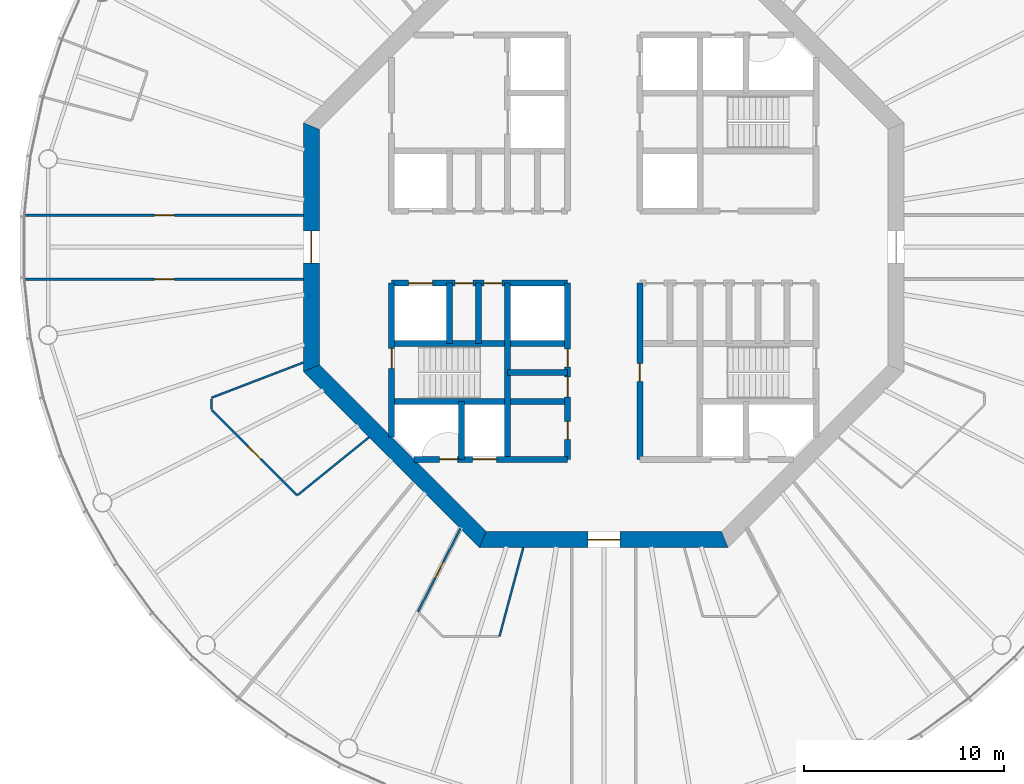
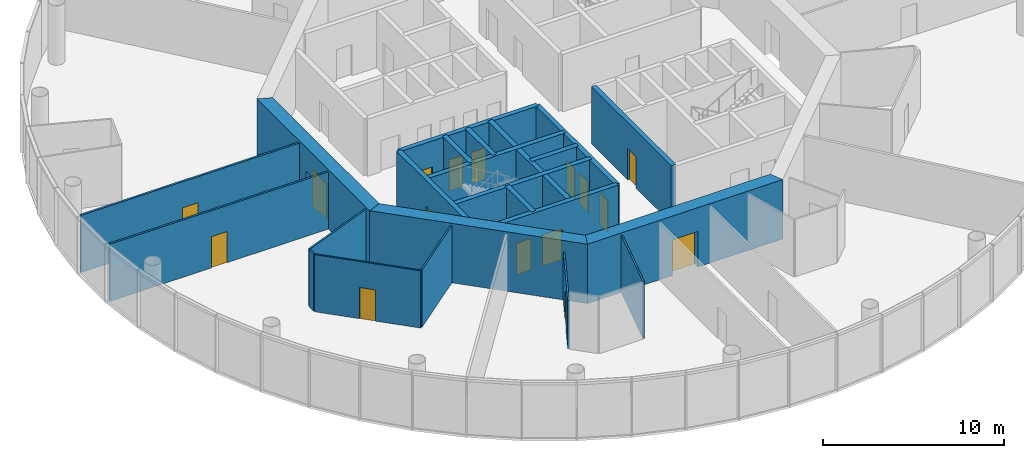
# One storey, part 3 of 13: 23 walls, 16 doors, 16 openings.
"""IFC4 building model written with IfcOpenShell, lengths in metres."""

from ifc_helpers import new_model, si_unit, direction, frame, frame_2d, origin, place, context, subcontext, project, spatial, polyline, rectangle, outline, extrude, material, layer, layer_set, type_object, element, fill, save


model = new_model("IFC4")

# Units and contexts
model_context = context("Model", 3, precision=1e-05, world=origin(), true_north=direction((0.0, 1.0)))
body_context = subcontext(model_context, "Body", "Model", "MODEL_VIEW")
ifc_project = project(units=[si_unit("LENGTHUNIT", "METRE"), si_unit("AREAUNIT", "SQUARE_METRE"), si_unit("VOLUMEUNIT", "CUBIC_METRE"), si_unit("PLANEANGLEUNIT", "RADIAN"), si_unit("MASSUNIT", "GRAM", prefix="KILO")], contexts=[model_context])

# Site, building, storey
site_placement = place(None, origin())
site = spatial("IfcSite", under=ifc_project, at=site_placement, CompositionType="ELEMENT")
building_placement = place(site_placement, origin())
building = spatial("IfcBuilding", under=site, at=building_placement, Name="Entoto Ring Tower", CompositionType="ELEMENT")
storey_placement = place(building_placement, frame((0.0, 0.0, 286.0)))
storey = spatial("IfcBuildingStorey", under=building, at=storey_placement, Name="L65", CompositionType="ELEMENT", Elevation=286.0)

# Wall, opening, door
ifc_material_1 = material(Name="Concrete C40/50", Category="concrete")
ifc_layer_1 = layer(ifc_material_1, 0.300048828125)
ifc_layer_set_1 = layer_set([ifc_layer_1], Name="Concrete C40/50")
wall_type_1 = type_object("IfcWallType", Name="Core enclosure wall 300 mm reinforced concrete", PredefinedType="SOLIDWALL", material=ifc_layer_set_1)
wall_1_placement = place(storey_placement, frame((91.800048828125, 69.39990234375, 0.0), z_axis=(0.0, 0.0, 1.0), x_axis=(0.0, 1.0, 0.0)))
wall_1 = element("IfcWall", 1, at=wall_1_placement, inside=storey, type_object=wall_type_1, Name="wall-L65-011", PredefinedType="SOLIDWALL", context=body_context, shape_type="SweptSolid", body=[
    extrude(rectangle(XDim=8.800048828125, YDim=0.300048828125, at=frame_2d((4.39990234375, 0.0))), origin(), (0.0, 0.0, 1.0), 3.85009765625),
])
opening_1_placement = place(wall_1_placement, frame((3.89990234375, 0.0, 0.0)))
opening_1 = element("IfcOpeningElement", 2, at=opening_1_placement, cuts=wall_1, Name="Opening K-21", PredefinedType="OPENING", context=body_context, shape_type="SweptSolid", body=[
    extrude(rectangle(XDim=0.89990234375, YDim=2.10009765625, at=frame_2d((0.449951171875, 1.050048828125))), frame((0.0, 0.16015625, 0.0), z_axis=(0.0, -1.0, 0.0), x_axis=(1.0, 0.0, 0.0)), (0.0, 0.0, 1.0), 0.320068359375),
])
ifc_material_2 = material(Name="Steel door leaf, fire rated", Category="steel")
ifc_layer_2 = layer(ifc_material_2, 0.050048828125)
ifc_layer_set_2 = layer_set([ifc_layer_2], Name="Steel door leaf, fire rated")
door_type_1 = type_object("IfcDoorType", Name="Core door 900 x 2100 single leaf", OperationType="NOTDEFINED", PredefinedType="DOOR", material=ifc_layer_set_2)
door_1_placement = place(opening_1_placement, frame((0.89990234375, 0.0, 0.0), z_axis=(0.0, 0.0, 1.0), x_axis=(-1.0, 0.0, 0.0)))
door_1 = element("IfcDoor", 3, at=door_1_placement, inside=storey, type_object=door_type_1, Name="Door K-21", OperationType="SINGLE_SWING_LEFT", OverallHeight=2.10009765625, OverallWidth=0.89990234375, PredefinedType="DOOR", context=body_context, shape_type="SweptSolid", body=[
    extrude(rectangle(XDim=0.89990234375, YDim=2.10009765625, at=frame_2d((0.449951171875, 1.050048828125))), frame((0.0, 0.02490234375, 0.0), z_axis=(0.0, -1.0, 0.0), x_axis=(1.0, 0.0, 0.0)), (0.0, 0.0, 1.0), 0.050048828125),
])
fill(opening_1, door_1)

# Wall, openings, doors
wall_2_placement = place(storey_placement, frame((88.199951171875, 69.39990234375, 0.0), z_axis=(0.0, 0.0, 1.0), x_axis=(0.0, 1.0, 0.0)))
wall_2 = element("IfcWall", 4, at=wall_2_placement, inside=storey, type_object=wall_type_1, Name="wall-L65-013", PredefinedType="SOLIDWALL", context=body_context, shape_type="SweptSolid", body=[
    extrude(rectangle(XDim=8.800048828125, YDim=0.300048828125, at=frame_2d((4.39990234375, 0.0))), origin(), (0.0, 0.0, 1.0), 3.85009765625),
])
opening_2_placement = place(wall_2_placement, frame((3.125, 0.0, 0.0)))
opening_2 = element("IfcOpeningElement", 5, at=opening_2_placement, cuts=wall_2, Name="Opening K-70", PredefinedType="OPENING", context=body_context, shape_type="SweptSolid", body=[
    extrude(rectangle(XDim=1.0, YDim=2.10009765625, at=frame_2d((0.5, 1.050048828125))), frame((0.0, 0.16015625, 0.0), z_axis=(0.0, -1.0, 0.0), x_axis=(1.0, 0.0, 0.0)), (0.0, 0.0, 1.0), 0.320068359375),
])
opening_3_placement = place(wall_2_placement, frame((4.625, 0.0, 0.0)))
opening_3 = element("IfcOpeningElement", 6, at=opening_3_placement, cuts=wall_2, Name="Opening K-71", PredefinedType="OPENING", context=body_context, shape_type="SweptSolid", body=[
    extrude(rectangle(XDim=0.89990234375, YDim=2.10009765625, at=frame_2d((0.449951171875, 1.050048828125))), frame((0.0, 0.16015625, 0.0), z_axis=(0.0, -1.0, 0.0), x_axis=(1.0, 0.0, 0.0)), (0.0, 0.0, 1.0), 0.320068359375),
])
opening_4_placement = place(wall_2_placement, frame((1.0, 0.0, 0.0)))
opening_4 = element("IfcOpeningElement", 7, at=opening_4_placement, cuts=wall_2, Name="Opening K-24", PredefinedType="OPENING", context=body_context, shape_type="SweptSolid", body=[
    extrude(rectangle(XDim=0.89990234375, YDim=2.10009765625, at=frame_2d((0.449951171875, 1.050048828125))), frame((0.0, 0.16015625, 0.0), z_axis=(0.0, -1.0, 0.0), x_axis=(1.0, 0.0, 0.0)), (0.0, 0.0, 1.0), 0.320068359375),
])
ifc_material_3 = material(Name="Steel door leaf, fire rated", Category="steel")
ifc_layer_3 = layer(ifc_material_3, 0.050048828125)
ifc_layer_set_3 = layer_set([ifc_layer_3], Name="Steel door leaf, fire rated")
door_type_2 = type_object("IfcDoorType", Name="Accessible door 1000 x 2100 single leaf", OperationType="NOTDEFINED", PredefinedType="DOOR", material=ifc_layer_set_3)
door_2_placement = place(opening_2_placement, origin())
door_2 = element("IfcDoor", 8, at=door_2_placement, inside=storey, type_object=door_type_2, Name="Door K-70", OperationType="SINGLE_SWING_RIGHT", OverallHeight=2.10009765625, OverallWidth=1.0, PredefinedType="DOOR", context=body_context, shape_type="SweptSolid", body=[
    extrude(rectangle(XDim=1.0, YDim=2.10009765625, at=frame_2d((0.5, 1.050048828125))), frame((0.0, 0.02490234375, 0.0), z_axis=(0.0, -1.0, 0.0), x_axis=(1.0, 0.0, 0.0)), (0.0, 0.0, 1.0), 0.050048828125),
])
fill(opening_2, door_2)
door_3_placement = place(opening_3_placement, origin())
door_3 = element("IfcDoor", 9, at=door_3_placement, inside=storey, type_object=door_type_1, Name="Door K-71", OperationType="SINGLE_SWING_RIGHT", OverallHeight=2.10009765625, OverallWidth=0.89990234375, PredefinedType="DOOR", context=body_context, shape_type="SweptSolid", body=[
    extrude(rectangle(XDim=0.89990234375, YDim=2.10009765625, at=frame_2d((0.449951171875, 1.050048828125))), frame((0.0, 0.02490234375, 0.0), z_axis=(0.0, -1.0, 0.0), x_axis=(1.0, 0.0, 0.0)), (0.0, 0.0, 1.0), 0.050048828125),
])
fill(opening_3, door_3)
door_4_placement = place(opening_4_placement, origin())
door_4 = element("IfcDoor", 10, at=door_4_placement, inside=storey, type_object=door_type_1, Name="Door K-24", OperationType="SINGLE_SWING_RIGHT", OverallHeight=2.10009765625, OverallWidth=0.89990234375, PredefinedType="DOOR", context=body_context, shape_type="SweptSolid", body=[
    extrude(rectangle(XDim=0.89990234375, YDim=2.10009765625, at=frame_2d((0.449951171875, 1.050048828125))), frame((0.0, 0.02490234375, 0.0), z_axis=(0.0, -1.0, 0.0), x_axis=(1.0, 0.0, 0.0)), (0.0, 0.0, 1.0), 0.050048828125),
])
fill(opening_4, door_4)

# Walls
wall_3_placement = place(storey_placement, frame((85.199951171875, 69.39990234375, 0.0), z_axis=(0.0, 0.0, 1.0), x_axis=(0.0, 1.0, 0.0)))
element("IfcWall", 11, at=wall_3_placement, inside=storey, type_object=wall_type_1, Name="wall-L65-016", PredefinedType="SOLIDWALL", context=body_context, shape_type="SweptSolid", body=[
    extrude(rectangle(XDim=8.800048828125, YDim=0.300048828125, at=frame_2d((4.39990234375, 0.0))), origin(), (0.0, 0.0, 1.0), 3.85009765625),
])
wall_4_placement = place(storey_placement, frame((83.75, 75.199951171875, 0.0), z_axis=(0.0, 0.0, 1.0), x_axis=(0.0, 1.0, 0.0)))
element("IfcWall", 12, at=wall_4_placement, inside=storey, type_object=wall_type_1, Name="wall-L65-018", PredefinedType="SOLIDWALL", context=body_context, shape_type="SweptSolid", body=[
    extrude(rectangle(XDim=3.0, YDim=0.300048828125, at=frame_2d((1.5, 0.0))), origin(), (0.0, 0.0, 1.0), 3.85009765625),
])
wall_5_placement = place(storey_placement, frame((82.89990234375, 69.39990234375, 0.0), z_axis=(0.0, 0.0, 1.0), x_axis=(0.0, 1.0, 0.0)))
element("IfcWall", 13, at=wall_5_placement, inside=storey, type_object=wall_type_1, Name="wall-L65-020", PredefinedType="SOLIDWALL", context=body_context, shape_type="SweptSolid", body=[
    extrude(rectangle(XDim=2.900146484375, YDim=0.300048828125, at=frame_2d((1.4501953125, 0.0))), origin(), (0.0, 0.0, 1.0), 3.85009765625),
])
wall_6_placement = place(storey_placement, frame((82.300048828125, 75.199951171875, 0.0), z_axis=(0.0, 0.0, 1.0), x_axis=(0.0, 1.0, 0.0)))
element("IfcWall", 14, at=wall_6_placement, inside=storey, type_object=wall_type_1, Name="wall-L65-021", PredefinedType="SOLIDWALL", context=body_context, shape_type="SweptSolid", body=[
    extrude(rectangle(XDim=3.0, YDim=0.300048828125, at=frame_2d((1.5, 0.0))), origin(), (0.0, 0.0, 1.0), 3.85009765625),
])

# Wall, opening, door
wall_7_placement = place(storey_placement, frame((79.39990234375, 70.518310546875, 0.0), z_axis=(0.0, 0.0, 1.0), x_axis=(0.0, 1.0, 0.0)))
wall_7 = element("IfcWall", 15, at=wall_7_placement, inside=storey, type_object=wall_type_1, Name="wall-L65-023", PredefinedType="SOLIDWALL", context=body_context, shape_type="SweptSolid", body=[
    extrude(rectangle(XDim=7.681640625, YDim=0.300048828125, at=frame_2d((3.8408203125, 0.0))), origin(), (0.0, 0.0, 1.0), 3.85009765625),
])
opening_5_placement = place(wall_7_placement, frame((3.431884765625, 0.0, 0.0)))
opening_5 = element("IfcOpeningElement", 16, at=opening_5_placement, cuts=wall_7, Name="Opening K-30", PredefinedType="OPENING", context=body_context, shape_type="SweptSolid", body=[
    extrude(rectangle(XDim=1.0, YDim=2.10009765625, at=frame_2d((0.5, 1.050048828125))), frame((0.0, 0.16015625, 0.0), z_axis=(0.0, -1.0, 0.0), x_axis=(1.0, 0.0, 0.0)), (0.0, 0.0, 1.0), 0.320068359375),
])
ifc_material_4 = material(Name="Steel door leaf, fire rated", Category="steel")
ifc_layer_4 = layer(ifc_material_4, 0.050048828125)
ifc_layer_set_4 = layer_set([ifc_layer_4], Name="Steel door leaf, fire rated")
door_type_3 = type_object("IfcDoorType", Name="Fire door FD60 1000 x 2100 single leaf", OperationType="NOTDEFINED", PredefinedType="DOOR", material=ifc_layer_set_4)
door_5_placement = place(opening_5_placement, frame((1.0, 0.0, 0.0), z_axis=(0.0, 0.0, 1.0), x_axis=(-1.0, 0.0, 0.0)))
door_5 = element("IfcDoor", 17, at=door_5_placement, inside=storey, type_object=door_type_3, Name="Door K-30", OperationType="SINGLE_SWING_LEFT", OverallHeight=2.10009765625, OverallWidth=1.0, PredefinedType="DOOR", context=body_context, shape_type="SweptSolid", body=[
    extrude(rectangle(XDim=1.0, YDim=2.10009765625, at=frame_2d((0.5, 1.050048828125))), frame((0.0, 0.02490234375, 0.0), z_axis=(0.0, -1.0, 0.0), x_axis=(1.0, 0.0, 0.0)), (0.0, 0.0, 1.0), 0.050048828125),
])
fill(opening_5, door_5)

# Wall, openings, doors
wall_8_placement = place(storey_placement, frame((80.518310546875, 69.39990234375, 0.0), z_axis=(0.0, 0.0, 1.0), x_axis=(1.0, 0.0, 0.0)))
wall_8 = element("IfcWall", 18, at=wall_8_placement, inside=storey, type_object=wall_type_1, Name="wall-L65-025", PredefinedType="SOLIDWALL", context=body_context, shape_type="SweptSolid", body=[
    extrude(rectangle(XDim=7.681640625, YDim=0.300048828125, at=frame_2d((3.8408203125, 0.0))), origin(), (0.0, 0.0, 1.0), 3.85009765625),
])
opening_6_placement = place(wall_8_placement, frame((2.931884765625, 0.0, 0.0)))
opening_6 = element("IfcOpeningElement", 19, at=opening_6_placement, cuts=wall_8, Name="Opening LD", PredefinedType="OPENING", context=body_context, shape_type="SweptSolid", body=[
    extrude(rectangle(XDim=1.199951171875, YDim=2.10009765625, at=frame_2d((0.60009765625, 1.050048828125))), frame((0.0, 0.16015625, 0.0), z_axis=(0.0, -1.0, 0.0), x_axis=(1.0, 0.0, 0.0)), (0.0, 0.0, 1.0), 0.320068359375),
])
opening_7_placement = place(wall_8_placement, frame((1.28173828125, 0.0, 0.0)))
opening_7 = element("IfcOpeningElement", 20, at=opening_7_placement, cuts=wall_8, Name="Opening K-33", PredefinedType="OPENING", context=body_context, shape_type="SweptSolid", body=[
    extrude(rectangle(XDim=0.89990234375, YDim=2.10009765625, at=frame_2d((0.449951171875, 1.050048828125))), frame((0.0, 0.16015625, 0.0), z_axis=(0.0, -1.0, 0.0), x_axis=(1.0, 0.0, 0.0)), (0.0, 0.0, 1.0), 0.320068359375),
])
ifc_material_5 = material(Name="Steel and glass door leaf", Category="steel")
ifc_layer_5 = layer(ifc_material_5, 0.050048828125)
ifc_layer_set_5 = layer_set([ifc_layer_5], Name="Steel and glass door leaf")
door_type_4 = type_object("IfcDoorType", Name="Landing door 1200 x 2100 sliding", OperationType="DOUBLE_DOOR_SLIDING", PredefinedType="DOOR", material=ifc_layer_set_5)
door_6_placement = place(opening_6_placement, origin())
door_6 = element("IfcDoor", 21, at=door_6_placement, inside=storey, type_object=door_type_4, Name="Landing door LB3-HR", OperationType="SLIDING_TO_RIGHT", OverallHeight=2.10009765625, OverallWidth=1.199951171875, PredefinedType="DOOR", context=body_context, shape_type="SweptSolid", body=[
    extrude(rectangle(XDim=1.199951171875, YDim=2.10009765625, at=frame_2d((0.60009765625, 1.050048828125))), frame((0.0, 0.02490234375, 0.0), z_axis=(0.0, -1.0, 0.0), x_axis=(1.0, 0.0, 0.0)), (0.0, 0.0, 1.0), 0.050048828125),
])
fill(opening_6, door_6)
ifc_material_6 = material(Name="Steel door leaf, fire rated", Category="steel")
ifc_layer_6 = layer(ifc_material_6, 0.050048828125)
ifc_layer_set_6 = layer_set([ifc_layer_6], Name="Steel door leaf, fire rated")
door_type_5 = type_object("IfcDoorType", Name="Riser door FD60 900 x 2100 single leaf", OperationType="NOTDEFINED", PredefinedType="DOOR", material=ifc_layer_set_6)
door_7_placement = place(opening_7_placement, origin())
door_7 = element("IfcDoor", 22, at=door_7_placement, inside=storey, type_object=door_type_5, Name="Door K-33", OperationType="SINGLE_SWING_RIGHT", OverallHeight=2.10009765625, OverallWidth=0.89990234375, PredefinedType="DOOR", context=body_context, shape_type="SweptSolid", body=[
    extrude(rectangle(XDim=0.89990234375, YDim=2.10009765625, at=frame_2d((0.449951171875, 1.050048828125))), frame((0.0, 0.02490234375, 0.0), z_axis=(0.0, -1.0, 0.0), x_axis=(1.0, 0.0, 0.0)), (0.0, 0.0, 1.0), 0.050048828125),
])
fill(opening_7, door_7)

# Walls
wall_9_placement = place(storey_placement, frame((79.39990234375, 72.300048828125, 0.0), z_axis=(0.0, 0.0, 1.0), x_axis=(1.0, 0.0, 0.0)))
element("IfcWall", 23, at=wall_9_placement, inside=storey, type_object=wall_type_1, Name="wall-L65-027", PredefinedType="SOLIDWALL", context=body_context, shape_type="SweptSolid", body=[
    extrude(rectangle(XDim=8.800048828125, YDim=0.300048828125, at=frame_2d((4.39990234375, 0.0))), origin(), (0.0, 0.0, 1.0), 3.85009765625),
])
wall_10_placement = place(storey_placement, frame((85.199951171875, 73.75, 0.0), z_axis=(0.0, 0.0, 1.0), x_axis=(1.0, 0.0, 0.0)))
element("IfcWall", 24, at=wall_10_placement, inside=storey, type_object=wall_type_1, Name="wall-L65-029", PredefinedType="SOLIDWALL", context=body_context, shape_type="SweptSolid", body=[
    extrude(rectangle(XDim=3.0, YDim=0.300048828125, at=frame_2d((1.5, 0.0))), origin(), (0.0, 0.0, 1.0), 3.85009765625),
])
wall_11_placement = place(storey_placement, frame((79.39990234375, 75.199951171875, 0.0), z_axis=(0.0, 0.0, 1.0), x_axis=(1.0, 0.0, 0.0)))
element("IfcWall", 25, at=wall_11_placement, inside=storey, type_object=wall_type_1, Name="wall-L65-030", PredefinedType="SOLIDWALL", context=body_context, shape_type="SweptSolid", body=[
    extrude(rectangle(XDim=8.800048828125, YDim=0.300048828125, at=frame_2d((4.39990234375, 0.0))), origin(), (0.0, 0.0, 1.0), 3.85009765625),
])

# Wall, openings, doors
wall_12_placement = place(storey_placement, frame((79.39990234375, 78.199951171875, 0.0), z_axis=(0.0, 0.0, 1.0), x_axis=(1.0, 0.0, 0.0)))
wall_12 = element("IfcWall", 26, at=wall_12_placement, inside=storey, type_object=wall_type_1, Name="wall-L65-032", PredefinedType="SOLIDWALL", context=body_context, shape_type="SweptSolid", body=[
    extrude(rectangle(XDim=8.800048828125, YDim=0.300048828125, at=frame_2d((4.39990234375, 0.0))), origin(), (0.0, 0.0, 1.0), 3.85009765625),
])
opening_8_placement = place(wall_12_placement, frame((0.85009765625, 0.0, 0.0)))
opening_8 = element("IfcOpeningElement", 27, at=opening_8_placement, cuts=wall_12, Name="Opening LD", PredefinedType="OPENING", context=body_context, shape_type="SweptSolid", body=[
    extrude(rectangle(XDim=1.199951171875, YDim=2.10009765625, at=frame_2d((0.60009765625, 1.050048828125))), frame((0.0, 0.16015625, 0.0), z_axis=(0.0, -1.0, 0.0), x_axis=(1.0, 0.0, 0.0)), (0.0, 0.0, 1.0), 0.320068359375),
])
opening_9_placement = place(wall_12_placement, frame((3.175048828125, 0.0, 0.0)))
opening_9 = element("IfcOpeningElement", 28, at=opening_9_placement, cuts=wall_12, Name="Opening K-18", PredefinedType="OPENING", context=body_context, shape_type="SweptSolid", body=[
    extrude(rectangle(XDim=0.89990234375, YDim=2.10009765625, at=frame_2d((0.449951171875, 1.050048828125))), frame((0.0, 0.16015625, 0.0), z_axis=(0.0, -1.0, 0.0), x_axis=(1.0, 0.0, 0.0)), (0.0, 0.0, 1.0), 0.320068359375),
])
opening_10_placement = place(wall_12_placement, frame((4.625, 0.0, 0.0)))
opening_10 = element("IfcOpeningElement", 29, at=opening_10_placement, cuts=wall_12, Name="Opening K-19", PredefinedType="OPENING", context=body_context, shape_type="SweptSolid", body=[
    extrude(rectangle(XDim=0.89990234375, YDim=2.10009765625, at=frame_2d((0.449951171875, 1.050048828125))), frame((0.0, 0.16015625, 0.0), z_axis=(0.0, -1.0, 0.0), x_axis=(1.0, 0.0, 0.0)), (0.0, 0.0, 1.0), 0.320068359375),
])
door_8_placement = place(opening_9_placement, frame((0.89990234375, 0.0, 0.0), z_axis=(0.0, 0.0, 1.0), x_axis=(-1.0, 0.0, 0.0)))
door_8 = element("IfcDoor", 30, at=door_8_placement, inside=storey, type_object=door_type_1, Name="Door K-18", OperationType="SINGLE_SWING_LEFT", OverallHeight=2.10009765625, OverallWidth=0.89990234375, PredefinedType="DOOR", context=body_context, shape_type="SweptSolid", body=[
    extrude(rectangle(XDim=0.89990234375, YDim=2.10009765625, at=frame_2d((0.449951171875, 1.050048828125))), frame((0.0, 0.02490234375, 0.0), z_axis=(0.0, -1.0, 0.0), x_axis=(1.0, 0.0, 0.0)), (0.0, 0.0, 1.0), 0.050048828125),
])
fill(opening_9, door_8)
door_9_placement = place(opening_10_placement, frame((0.89990234375, 0.0, 0.0), z_axis=(0.0, 0.0, 1.0), x_axis=(-1.0, 0.0, 0.0)))
door_9 = element("IfcDoor", 31, at=door_9_placement, inside=storey, type_object=door_type_1, Name="Door K-19", OperationType="SINGLE_SWING_LEFT", OverallHeight=2.10009765625, OverallWidth=0.89990234375, PredefinedType="DOOR", context=body_context, shape_type="SweptSolid", body=[
    extrude(rectangle(XDim=0.89990234375, YDim=2.10009765625, at=frame_2d((0.449951171875, 1.050048828125))), frame((0.0, 0.02490234375, 0.0), z_axis=(0.0, -1.0, 0.0), x_axis=(1.0, 0.0, 0.0)), (0.0, 0.0, 1.0), 0.050048828125),
])
fill(opening_10, door_9)
door_10_placement = place(opening_8_placement, origin())
door_10 = element("IfcDoor", 32, at=door_10_placement, inside=storey, type_object=door_type_4, Name="Landing door SH2", OperationType="SLIDING_TO_RIGHT", OverallHeight=2.10009765625, OverallWidth=1.199951171875, PredefinedType="DOOR", context=body_context, shape_type="SweptSolid", body=[
    extrude(rectangle(XDim=1.199951171875, YDim=2.10009765625, at=frame_2d((0.60009765625, 1.050048828125))), frame((0.0, 0.02490234375, 0.0), z_axis=(0.0, -1.0, 0.0), x_axis=(1.0, 0.0, 0.0)), (0.0, 0.0, 1.0), 0.050048828125),
])
fill(opening_8, door_10)

# Wall, opening, door
ifc_material_7 = material(Name="Concrete C40/50", Category="concrete")
ifc_layer_7 = layer(ifc_material_7, 0.800048828125)
ifc_layer_set_7 = layer_set([ifc_layer_7], Name="Concrete C40/50")
wall_type_2 = type_object("IfcWallType", Name="Core shear wall 800 mm reinforced concrete C40/50", PredefinedType="SHEAR", material=ifc_layer_set_7)
wall_13_placement = place(storey_placement, frame((75.39990234375, 86.047607421875, 0.0), z_axis=(0.0, 0.0, 1.0), x_axis=(0.0, -1.0, 0.0)))
wall_13 = element("IfcWall", 33, at=wall_13_placement, inside=storey, type_object=wall_type_2, Name="wall-L65-core-4", PredefinedType="SHEAR", context=body_context, shape_type="SweptSolid", body=[
    extrude(outline(polyline([(-0.165771484375, -0.39990234375), (12.260986328125, -0.39990234375), (11.929443359375, 0.39990234375), (0.165771484375, 0.39990234375), (-0.165771484375, -0.39990234375)])), origin(), (0.0, 0.0, 1.0), 4.0),
])
opening_11_placement = place(wall_13_placement, frame((5.24755859375, 0.0, 0.0)))
opening_11 = element("IfcOpeningElement", 34, at=opening_11_placement, cuts=wall_13, Name="Opening K-03", PredefinedType="OPENING", context=body_context, shape_type="SweptSolid", body=[
    extrude(rectangle(XDim=1.60009765625, YDim=2.39990234375, at=frame_2d((0.800048828125, 1.199951171875))), frame((0.0, 0.41015625, 0.0), z_axis=(0.0, -1.0, 0.0), x_axis=(1.0, 0.0, 0.0)), (0.0, 0.0, 1.0), 0.820068359375),
])
ifc_material_8 = material(Name="Steel door leaf, fire rated", Category="steel")
ifc_layer_8 = layer(ifc_material_8, 0.050048828125)
ifc_layer_set_8 = layer_set([ifc_layer_8], Name="Steel door leaf, fire rated")
door_type_6 = type_object("IfcDoorType", Name="Entrance door FD60 1600 x 2400 double leaf", OperationType="DOUBLE_DOOR_SINGLE_SWING", PredefinedType="DOOR", material=ifc_layer_set_8)
door_11_placement = place(opening_11_placement, origin())
door_11 = element("IfcDoor", 35, at=door_11_placement, inside=storey, type_object=door_type_6, Name="Entrance door K-03", OperationType="DOUBLE_DOOR_SINGLE_SWING", OverallHeight=2.39990234375, OverallWidth=1.60009765625, PredefinedType="DOOR", context=body_context, shape_type="SweptSolid", body=[
    extrude(rectangle(XDim=1.60009765625, YDim=2.39990234375, at=frame_2d((0.800048828125, 1.199951171875))), frame((0.0, 0.02490234375, 0.0), z_axis=(0.0, -1.0, 0.0), x_axis=(1.0, 0.0, 0.0)), (0.0, 0.0, 1.0), 0.050048828125),
])
fill(opening_11, door_11)

# Wall
wall_14_placement = place(storey_placement, frame((75.39990234375, 73.952392578125, 0.0), z_axis=(0.0, 0.0, 1.0), x_axis=(0.707106781187, -0.707106781187, 0.0)))
element("IfcWall", 36, at=wall_14_placement, inside=storey, type_object=wall_type_2, Name="wall-L65-core-5", PredefinedType="SHEAR", context=body_context, shape_type="SweptSolid", body=[
    extrude(outline(polyline([(-0.165771484375, -0.39990234375), (12.2607421875, -0.39990234375), (11.92919921875, 0.39990234375), (0.165771484375, 0.39990234375), (-0.165771484375, -0.39990234375)])), origin(), (0.0, 0.0, 1.0), 4.0),
])

# Wall, opening, door
wall_15_placement = place(storey_placement, frame((83.952392578125, 65.39990234375, 0.0), z_axis=(0.0, 0.0, 1.0), x_axis=(1.0, 0.0, 0.0)))
wall_15 = element("IfcWall", 37, at=wall_15_placement, inside=storey, type_object=wall_type_2, Name="wall-L65-core-6", PredefinedType="SHEAR", context=body_context, shape_type="SweptSolid", body=[
    extrude(outline(polyline([(-0.165771484375, -0.39990234375), (12.260986328125, -0.39990234375), (11.929443359375, 0.39990234375), (0.165771484375, 0.39990234375), (-0.165771484375, -0.39990234375)])), origin(), (0.0, 0.0, 1.0), 4.0),
])
opening_12_placement = place(wall_15_placement, frame((5.24755859375, 0.0, 0.0)))
opening_12 = element("IfcOpeningElement", 38, at=opening_12_placement, cuts=wall_15, Name="Opening K-04", PredefinedType="OPENING", context=body_context, shape_type="SweptSolid", body=[
    extrude(rectangle(XDim=1.60009765625, YDim=2.39990234375, at=frame_2d((0.800048828125, 1.199951171875))), frame((0.0, 0.41015625, 0.0), z_axis=(0.0, -1.0, 0.0), x_axis=(1.0, 0.0, 0.0)), (0.0, 0.0, 1.0), 0.820068359375),
])
door_12_placement = place(opening_12_placement, origin())
door_12 = element("IfcDoor", 39, at=door_12_placement, inside=storey, type_object=door_type_6, Name="Entrance door K-04", OperationType="DOUBLE_DOOR_SINGLE_SWING", OverallHeight=2.39990234375, OverallWidth=1.60009765625, PredefinedType="DOOR", context=body_context, shape_type="SweptSolid", body=[
    extrude(rectangle(XDim=1.60009765625, YDim=2.39990234375, at=frame_2d((0.800048828125, 1.199951171875))), frame((0.0, 0.02490234375, 0.0), z_axis=(0.0, -1.0, 0.0), x_axis=(1.0, 0.0, 0.0)), (0.0, 0.0, 1.0), 0.050048828125),
])
fill(opening_12, door_12)

ifc_material_9 = material(Name="Fire-resisting plasterboard on steel studs", Category="steel")
ifc_layer_9 = layer(ifc_material_9, 0.125)
ifc_layer_set_9 = layer_set([ifc_layer_9], Name="Fire-resisting plasterboard on steel studs")
wall_type_3 = type_object("IfcWallType", Name="Corridor wall 125 mm one-hour plasterboard on steel studs", PredefinedType="PARTITIONING", material=ifc_layer_set_9)
wall_16_placement = place(storey_placement, frame((61.108642578125, 78.39990234375, 0.0), z_axis=(0.0, 0.0, 1.0), x_axis=(1.0, 0.0, 0.0)))
wall_16 = element("IfcWall", 40, at=wall_16_placement, inside=storey, type_object=wall_type_3, Name="partition-L65-001", PredefinedType="PARTITIONING", context=body_context, shape_type="SweptSolid", body=[
    extrude(rectangle(XDim=13.891357421875, YDim=0.125, at=frame_2d((6.94580078125, 0.0))), origin(), (0.0, 0.0, 1.0), 3.85009765625),
])
opening_13_placement = place(wall_16_placement, frame((6.44580078125, 0.0, 0.0)))
opening_13 = element("IfcOpeningElement", 41, at=opening_13_placement, cuts=wall_16, Name="Opening A29-D09", PredefinedType="OPENING", context=body_context, shape_type="SweptSolid", body=[
    extrude(rectangle(XDim=1.0, YDim=2.10009765625, at=frame_2d((0.5, 1.050048828125))), frame((0.0, 0.072509765625, 0.0), z_axis=(0.0, -1.0, 0.0), x_axis=(1.0, 0.0, 0.0)), (0.0, 0.0, 1.0), 0.14501953125),
])
ifc_material_10 = material(Name="Fire-resisting timber door set", Category="wood")
door_type_7 = type_object("IfcDoorType", Name="Door 1000 x 2100 single leaf FD30S fire door", OperationType="NOTDEFINED", PredefinedType="DOOR", material=ifc_material_10)
door_13_placement = place(opening_13_placement, frame((1.0, 0.0, 0.0), z_axis=(0.0, 0.0, 1.0), x_axis=(-1.0, 0.0, 0.0)))
door_13 = element("IfcDoor", 42, at=door_13_placement, inside=storey, type_object=door_type_7, Name="Door A29-D09", OperationType="SINGLE_SWING_RIGHT", OverallHeight=2.10009765625, OverallWidth=1.0, PredefinedType="DOOR", context=body_context, shape_type="SweptSolid", body=[
    extrude(rectangle(XDim=1.0, YDim=2.10009765625, at=frame_2d((0.5, 1.050048828125))), frame((0.0, 0.02490234375, 0.0), z_axis=(0.0, -1.0, 0.0), x_axis=(1.0, 0.0, 0.0)), (0.0, 0.0, 1.0), 0.050048828125),
])
fill(opening_13, door_13)

wall_17_placement = place(storey_placement, frame((61.108642578125, 81.60009765625, 0.0), z_axis=(0.0, 0.0, 1.0), x_axis=(1.0, 0.0, 0.0)))
wall_17 = element("IfcWall", 43, at=wall_17_placement, inside=storey, type_object=wall_type_3, Name="partition-L65-002", PredefinedType="PARTITIONING", context=body_context, shape_type="SweptSolid", body=[
    extrude(rectangle(XDim=13.891357421875, YDim=0.125, at=frame_2d((6.94580078125, 0.0))), origin(), (0.0, 0.0, 1.0), 3.85009765625),
])
opening_14_placement = place(wall_17_placement, frame((6.44580078125, 0.0, 0.0)))
opening_14 = element("IfcOpeningElement", 44, at=opening_14_placement, cuts=wall_17, Name="Opening A29-D07", PredefinedType="OPENING", context=body_context, shape_type="SweptSolid", body=[
    extrude(rectangle(XDim=1.0, YDim=2.10009765625, at=frame_2d((0.5, 1.050048828125))), frame((0.0, 0.072509765625, 0.0), z_axis=(0.0, -1.0, 0.0), x_axis=(1.0, 0.0, 0.0)), (0.0, 0.0, 1.0), 0.14501953125),
])
door_14_placement = place(opening_14_placement, origin())
door_14 = element("IfcDoor", 45, at=door_14_placement, inside=storey, type_object=door_type_7, Name="Door A29-D07", OperationType="SINGLE_SWING_LEFT", OverallHeight=2.10009765625, OverallWidth=1.0, PredefinedType="DOOR", context=body_context, shape_type="SweptSolid", body=[
    extrude(rectangle(XDim=1.0, YDim=2.10009765625, at=frame_2d((0.5, 1.050048828125))), frame((0.0, 0.02490234375, 0.0), z_axis=(0.0, -1.0, 0.0), x_axis=(1.0, 0.0, 0.0)), (0.0, 0.0, 1.0), 0.050048828125),
])
fill(opening_14, door_14)

ifc_material_11 = material(Name="Plasterboard on steel studs", Category="steel")
ifc_layer_10 = layer(ifc_material_11, 0.10009765625)
ifc_layer_set_10 = layer_set([ifc_layer_10], Name="Plasterboard on steel studs")
wall_type_4 = type_object("IfcWallType", Name="Partition 100 mm plasterboard on steel studs", PredefinedType="PARTITIONING", material=ifc_layer_set_10)
wall_18_placement = place(storey_placement, frame((74.68408203125, 67.597412109375, 0.0), z_axis=(0.0, 0.0, 1.0), x_axis=(-0.707126929262, 0.707086632537, 0.0)))
wall_18 = element("IfcWall", 46, at=wall_18_placement, inside=storey, type_object=wall_type_4, Name="partition-L65-013", PredefinedType="PARTITIONING", context=body_context, shape_type="SweptSolid", body=[
    extrude(rectangle(XDim=6.05859375, YDim=0.10009765625, at=frame_2d((3.029296875, 0.0))), origin(), (0.0, 0.0, 1.0), 3.85009765625),
])
opening_15_placement = place(wall_18_placement, frame((2.579345703125, 0.0, 0.0)))
opening_15 = element("IfcOpeningElement", 47, at=opening_15_placement, cuts=wall_18, Name="Opening A29-D10", PredefinedType="OPENING", context=body_context, shape_type="SweptSolid", body=[
    extrude(rectangle(XDim=0.89990234375, YDim=2.10009765625, at=frame_2d((0.449951171875, 1.050048828125))), frame((0.0, 0.06005859375, 0.0), z_axis=(0.0, -1.0, 0.0), x_axis=(1.0, 0.0, 0.0)), (0.0, 0.0, 1.0), 0.1201171875),
])
ifc_material_12 = material(Name="Veneered timber door leaf in timber frame", Category="wood")
door_type_8 = type_object("IfcDoorType", Name="Door 900 x 2100 single leaf timber veneer", OperationType="NOTDEFINED", PredefinedType="DOOR", material=ifc_material_12)
door_15_placement = place(opening_15_placement, frame((0.89990234375, 0.0, 0.0), z_axis=(0.0, 0.0, 1.0), x_axis=(-1.0, 0.0, 0.0)))
door_15 = element("IfcDoor", 48, at=door_15_placement, inside=storey, type_object=door_type_8, Name="Door A29-D10", OperationType="SINGLE_SWING_RIGHT", OverallHeight=2.10009765625, OverallWidth=0.89990234375, PredefinedType="DOOR", context=body_context, shape_type="SweptSolid", body=[
    extrude(rectangle(XDim=0.89990234375, YDim=2.10009765625, at=frame_2d((0.449951171875, 1.050048828125))), frame((0.0, 0.02490234375, 0.0), z_axis=(0.0, -1.0, 0.0), x_axis=(1.0, 0.0, 0.0)), (0.0, 0.0, 1.0), 0.050048828125),
])
fill(opening_15, door_15)

# Walls
wall_19_placement = place(storey_placement, frame((70.39990234375, 72.476318359375, 0.0), z_axis=(0.0, 0.0, 1.0), x_axis=(0.933593126513, 0.358334863122, 0.0)))
element("IfcWall", 49, at=wall_19_placement, inside=storey, type_object=wall_type_4, Name="partition-L65-017", PredefinedType="PARTITIONING", context=body_context, shape_type="SweptSolid", body=[
    extrude(rectangle(XDim=4.92724609375, YDim=0.10009765625, at=frame_2d((2.463623046875, 0.0))), origin(), (0.0, 0.0, 1.0), 3.85009765625),
])
wall_20_placement = place(storey_placement, frame((74.72265625, 67.628662109375, 0.0), z_axis=(0.0, 0.0, 1.0), x_axis=(0.777133029687, 0.629336360121, 0.0)))
element("IfcWall", 50, at=wall_20_placement, inside=storey, type_object=wall_type_4, Name="partition-L65-021", PredefinedType="PARTITIONING", context=body_context, shape_type="SweptSolid", body=[
    extrude(rectangle(XDim=4.57568359375, YDim=0.10009765625, at=frame_2d((2.287841796875, 0.0))), origin(), (0.0, 0.0, 1.0), 3.85009765625),
])
wall_21_placement = place(storey_placement, frame((84.791015625, 60.56005859375, 0.0), z_axis=(0.0, 0.0, 1.0), x_axis=(0.258822810663, 0.965924817302, 0.0)))
element("IfcWall", 51, at=wall_21_placement, inside=storey, type_object=wall_type_4, Name="partition-L65-022", PredefinedType="PARTITIONING", context=body_context, shape_type="SweptSolid", body=[
    extrude(rectangle(XDim=4.5966796875, YDim=0.10009765625, at=frame_2d((2.29833984375, 0.0))), origin(), (0.0, 0.0, 1.0), 3.85009765625),
])
wall_22_placement = place(storey_placement, frame((70.39990234375, 71.91650390625, 0.0), z_axis=(0.0, 0.0, 1.0), x_axis=(0.0, 1.0, 0.0)))
element("IfcWall", 52, at=wall_22_placement, inside=storey, type_object=wall_type_4, Name="partition-L65-041", PredefinedType="PARTITIONING", context=body_context, shape_type="SweptSolid", body=[
    extrude(rectangle(XDim=0.51318359375, YDim=0.10009765625, at=frame_2d((0.256591796875, 0.0))), origin(), (0.0, 0.0, 1.0), 3.85009765625),
])

# Wall, opening, door
ifc_material_13 = material(Name="Plasterboard on steel studs", Category="steel")
ifc_layer_11 = layer(ifc_material_13, 0.10009765625)
ifc_layer_set_11 = layer_set([ifc_layer_11], Name="Plasterboard on steel studs")
wall_type_5 = type_object("IfcWallType", Name="Partition 100 mm plasterboard on steel studs, 3250 mm high", PredefinedType="PARTITIONING", material=ifc_layer_set_11)
wall_23_placement = place(storey_placement, frame((80.72021484375, 61.787353515625, 0.0), z_axis=(0.0, 0.0, 1.0), x_axis=(0.453978268405, 0.891012756259, 0.0)))
wall_23 = element("IfcWall", 53, at=wall_23_placement, inside=storey, type_object=wall_type_5, Name="partition-L65-020", PredefinedType="PARTITIONING", context=body_context, shape_type="SweptSolid", body=[
    extrude(rectangle(XDim=4.66845703125, YDim=0.10009765625, at=frame_2d((2.334228515625, 0.0))), origin(), (0.0, 0.0, 1.0), 3.25),
])
opening_16_placement = place(wall_23_placement, frame((1.88427734375, 0.0, 0.0)))
opening_16 = element("IfcOpeningElement", 54, at=opening_16_placement, cuts=wall_23, Name="Opening A29-D12", PredefinedType="OPENING", context=body_context, shape_type="SweptSolid", body=[
    extrude(rectangle(XDim=0.89990234375, YDim=2.10009765625, at=frame_2d((0.449951171875, 1.050048828125))), frame((0.0, 0.06005859375, 0.0), z_axis=(0.0, -1.0, 0.0), x_axis=(1.0, 0.0, 0.0)), (0.0, 0.0, 1.0), 0.1201171875),
])
door_16_placement = place(opening_16_placement, frame((0.89990234375, 0.0, 0.0), z_axis=(0.0, 0.0, 1.0), x_axis=(-1.0, 0.0, 0.0)))
door_16 = element("IfcDoor", 55, at=door_16_placement, inside=storey, type_object=door_type_8, Name="Door A29-D12", OperationType="SINGLE_SWING_LEFT", OverallHeight=2.10009765625, OverallWidth=0.89990234375, PredefinedType="DOOR", context=body_context, shape_type="SweptSolid", body=[
    extrude(rectangle(XDim=0.89990234375, YDim=2.10009765625, at=frame_2d((0.449951171875, 1.050048828125))), frame((0.0, 0.02490234375, 0.0), z_axis=(0.0, -1.0, 0.0), x_axis=(1.0, 0.0, 0.0)), (0.0, 0.0, 1.0), 0.050048828125),
])
fill(opening_16, door_16)

save(model, "model.ifc")
